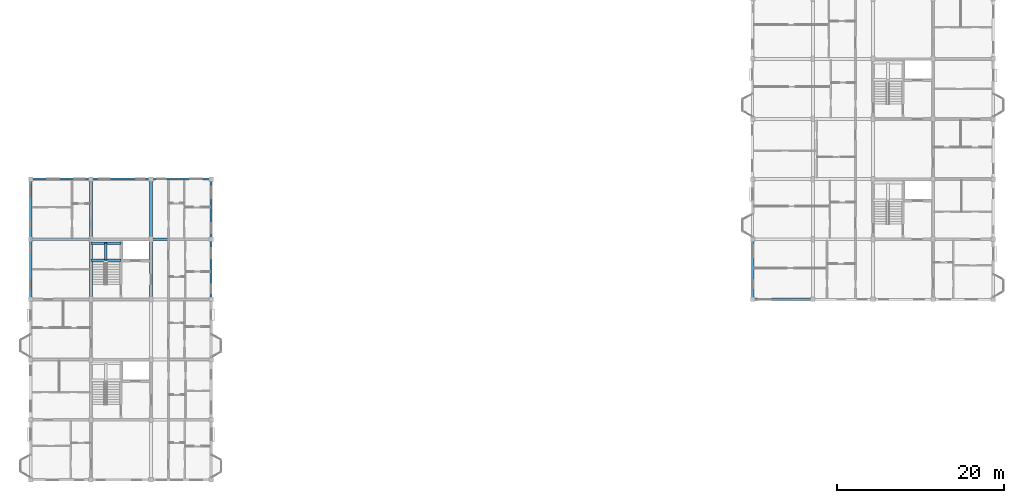
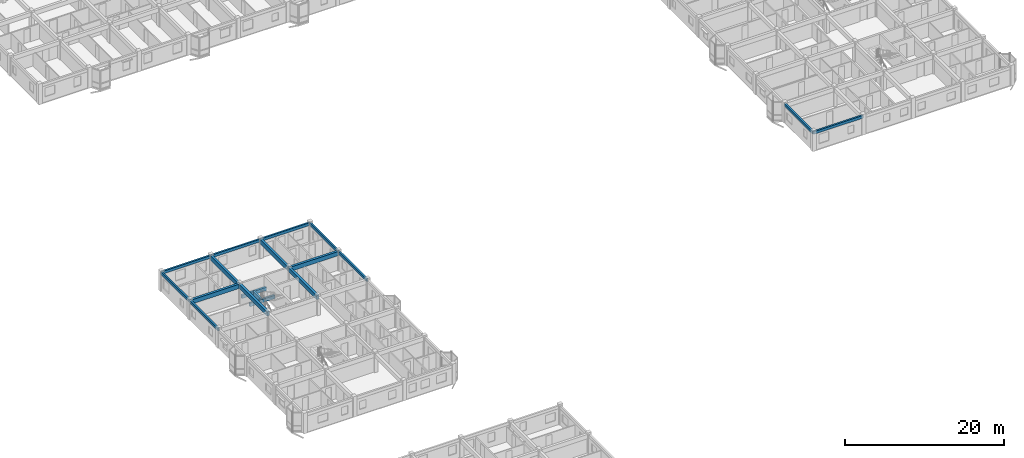
# One storey, part 20 of 77: 18 beams.
"""IFC4 building model written with IfcOpenShell, lengths in metres."""

from ifc_helpers import new_model, si_unit, direction, frame, origin, origin_2d, place, context, subcontext, project, spatial, rectangle, extrude, material, material_profile, profile_set, type_object, element, save


model = new_model("IFC4")

# Units and contexts
model_context = context("Model", 3, precision=1e-05, world=origin(), true_north=direction((0.0, 1.0)))
body_context = subcontext(model_context, "Body", "Model", "MODEL_VIEW")
ifc_project = project(units=[si_unit("LENGTHUNIT", "METRE"), si_unit("AREAUNIT", "SQUARE_METRE"), si_unit("VOLUMEUNIT", "CUBIC_METRE"), si_unit("PLANEANGLEUNIT", "RADIAN"), si_unit("MASSUNIT", "GRAM", prefix="KILO"), si_unit("THERMODYNAMICTEMPERATUREUNIT", "KELVIN"), si_unit("POWERUNIT", "WATT")], contexts=[model_context])

# Site, building, storey
site_placement = place(None, origin())
site = spatial("IfcSite", under=ifc_project, at=site_placement, CompositionType="ELEMENT")
building_placement = place(site_placement, origin())
building = spatial("IfcBuilding", under=site, at=building_placement, Name="Tavuni Mirador Residences", CompositionType="ELEMENT")
storey_placement = place(building_placement, frame((0.0, 0.0, 10.800048828125)))
storey = spatial("IfcBuildingStorey", under=building, at=storey_placement, Name="L03", CompositionType="ELEMENT", Elevation=10.800048828125)

# Beams
ifc_material = material(Name="Precast concrete C40/50", Category="concrete")
ifc_material_profile_1 = material_profile(ifc_material, rectangle(XDim=0.300048828125, YDim=0.5, at=origin_2d()), Name="PC 300x500", Category="concrete")
ifc_profile_set_1 = profile_set([ifc_material_profile_1], Name="Precast concrete C40/50")
beam_type_1 = type_object("IfcBeamType", Name="BT-B500", PredefinedType="BEAM", material=ifc_profile_set_1)
for number, where, z_axis, x_axis, name in (
    (1, (10.800048828125, 91.10009765625, 1.14501953125), (1.0, 0.0, 0.0), (0.0, 1.0, 0.0), "HLB1-C4-L03"),
    (2, (10.800048828125, 93.14990234375, 1.14501953125), (1.0, 0.0, 0.0), (0.0, 1.0, 0.0), "HLB2-C4-L03"),
):
    element("IfcBeam", number, at=place(storey_placement, frame(where, z_axis=z_axis, x_axis=x_axis)), inside=storey, type_object=beam_type_1, Name=name, PredefinedType="BEAM", context=body_context, shape_type="SweptSolid", body=[
        extrude(rectangle(XDim=0.300048828125, YDim=0.5, at=origin_2d()), origin(), (0.0, 0.0, 1.0), 3.599853515625),
    ])
beam_1_placement = place(storey_placement, frame((12.60009765625, 91.10009765625, 1.14501953125), z_axis=(0.0, 1.0, 0.0), x_axis=(-1.0, 0.0, 0.0)))
element("IfcBeam", 3, at=beam_1_placement, inside=storey, type_object=beam_type_1, Name="HLB3-C4-L03", PredefinedType="BEAM", context=body_context, shape_type="SweptSolid", body=[
    extrude(rectangle(XDim=0.300048828125, YDim=0.5, at=origin_2d()), origin(), (0.0, 0.0, 1.0), 2.0498046875),
])
ifc_material_profile_2 = material_profile(ifc_material, rectangle(XDim=0.35009765625, YDim=0.64990234375, at=origin_2d()), Name="PC 350x650", Category="concrete")
ifc_profile_set_2 = profile_set([ifc_material_profile_2], Name="Precast concrete C40/50")
beam_type_2 = type_object("IfcBeamType", Name="BT-B650", PredefinedType="BEAM", material=ifc_profile_set_2)
for number, where, z_axis, x_axis, name in (
    (4, (3.60009765625, 93.60009765625, 2.5849609375), (1.0, 0.0, 0.0), (0.0, 1.0, 0.0), "BMX-BLK-B-L03-00-04"),
    (5, (18.0, 93.60009765625, 2.5849609375), (1.0, 0.0, 0.0), (0.0, 1.0, 0.0), "BMX-BLK-B-L03-02-04"),
):
    element("IfcBeam", number, at=place(storey_placement, frame(where, z_axis=z_axis, x_axis=x_axis)), inside=storey, type_object=beam_type_2, Name=name, PredefinedType="BEAM", context=body_context, shape_type="SweptSolid", body=[
        extrude(rectangle(XDim=0.35009765625, YDim=0.64990234375, at=origin_2d()), origin(), (0.0, 0.0, 1.0), 7.199951171875),
    ])
beam_2_placement = place(storey_placement, frame((10.800048828125, 86.39990234375, 2.5849609375), z_axis=(0.0, 1.0, 0.0), x_axis=(-1.0, 0.0, 0.0)))
element("IfcBeam", 6, at=beam_2_placement, inside=storey, type_object=beam_type_2, Name="BMY-BLK-B-L03-01-03", PredefinedType="BEAM", context=body_context, shape_type="SweptSolid", body=[
    extrude(rectangle(XDim=0.35009765625, YDim=0.64990234375, at=origin_2d()), origin(), (0.0, 0.0, 1.0), 7.2001953125),
])
beam_3_placement = place(storey_placement, frame((10.800048828125, 93.60009765625, 2.5849609375), z_axis=(0.0, 1.0, 0.0), x_axis=(-1.0, 0.0, 0.0)))
element("IfcBeam", 7, at=beam_3_placement, inside=storey, type_object=beam_type_2, Name="BMY-BLK-B-L03-01-04", PredefinedType="BEAM", context=body_context, shape_type="SweptSolid", body=[
    extrude(rectangle(XDim=0.35009765625, YDim=0.64990234375, at=origin_2d()), origin(), (0.0, 0.0, 1.0), 7.199951171875),
])
beam_4_placement = place(storey_placement, frame((18.0, 86.39990234375, 2.5849609375), z_axis=(0.0, 1.0, 0.0), x_axis=(-1.0, 0.0, 0.0)))
element("IfcBeam", 8, at=beam_4_placement, inside=storey, type_object=beam_type_2, Name="BMY-BLK-B-L03-02-03", PredefinedType="BEAM", context=body_context, shape_type="SweptSolid", body=[
    extrude(rectangle(XDim=0.35009765625, YDim=0.64990234375, at=origin_2d()), origin(), (0.0, 0.0, 1.0), 7.2001953125),
])
beam_5_placement = place(storey_placement, frame((18.0, 93.60009765625, 2.5849609375), z_axis=(0.0, 1.0, 0.0), x_axis=(-1.0, 0.0, 0.0)))
element("IfcBeam", 9, at=beam_5_placement, inside=storey, type_object=beam_type_2, Name="BMY-BLK-B-L03-02-04", PredefinedType="BEAM", context=body_context, shape_type="SweptSolid", body=[
    extrude(rectangle(XDim=0.35009765625, YDim=0.64990234375, at=origin_2d()), origin(), (0.0, 0.0, 1.0), 7.199951171875),
])
ifc_material_profile_3 = material_profile(ifc_material, rectangle(XDim=0.25, YDim=0.419921875, at=origin_2d()), Name="PC 250x420", Category="concrete")
ifc_profile_set_3 = profile_set([ifc_material_profile_3], Name="Precast concrete C40/50")
beam_type_3 = type_object("IfcBeamType", Name="BT-SP420", PredefinedType="SPANDREL", material=ifc_profile_set_3)
for number, where, z_axis, x_axis, name in (
    (10, (3.60009765625, 100.800048828125, 2.699951171875), (1.0, 0.0, 0.0), (0.0, 1.0, 0.0), "BMX-BLK-B-L03-00-05"),
    (11, (10.800048828125, 100.800048828125, 2.699951171875), (1.0, 0.0, 0.0), (0.0, 1.0, 0.0), "BMX-BLK-B-L03-01-05"),
    (12, (18.0, 100.800048828125, 2.699951171875), (1.0, 0.0, 0.0), (0.0, 1.0, 0.0), "BMX-BLK-B-L03-02-05"),
):
    element("IfcBeam", number, at=place(storey_placement, frame(where, z_axis=z_axis, x_axis=x_axis)), inside=storey, type_object=beam_type_3, Name=name, PredefinedType="SPANDREL", context=body_context, shape_type="SweptSolid", body=[
        extrude(rectangle(XDim=0.25, YDim=0.419921875, at=origin_2d()), origin(), (0.0, 0.0, 1.0), 7.199951171875),
    ])
beam_6_placement = place(storey_placement, frame((3.60009765625, 86.39990234375, 2.699951171875), z_axis=(0.0, 1.0, 0.0), x_axis=(-1.0, 0.0, 0.0)))
element("IfcBeam", 13, at=beam_6_placement, inside=storey, type_object=beam_type_3, Name="BMY-BLK-B-L03-00-03", PredefinedType="SPANDREL", context=body_context, shape_type="SweptSolid", body=[
    extrude(rectangle(XDim=0.25, YDim=0.419921875, at=origin_2d()), origin(), (0.0, 0.0, 1.0), 7.2001953125),
])
beam_7_placement = place(storey_placement, frame((3.60009765625, 93.60009765625, 2.699951171875), z_axis=(0.0, 1.0, 0.0), x_axis=(-1.0, 0.0, 0.0)))
element("IfcBeam", 14, at=beam_7_placement, inside=storey, type_object=beam_type_3, Name="BMY-BLK-B-L03-00-04", PredefinedType="SPANDREL", context=body_context, shape_type="SweptSolid", body=[
    extrude(rectangle(XDim=0.25, YDim=0.419921875, at=origin_2d()), origin(), (0.0, 0.0, 1.0), 7.199951171875),
])
beam_8_placement = place(storey_placement, frame((25.199951171875, 86.39990234375, 2.699951171875), z_axis=(0.0, 1.0, 0.0), x_axis=(-1.0, 0.0, 0.0)))
element("IfcBeam", 15, at=beam_8_placement, inside=storey, type_object=beam_type_3, Name="BMY-BLK-B-L03-03-03", PredefinedType="SPANDREL", context=body_context, shape_type="SweptSolid", body=[
    extrude(rectangle(XDim=0.25, YDim=0.419921875, at=origin_2d()), origin(), (0.0, 0.0, 1.0), 7.2001953125),
])
for number, where, z_axis, x_axis, name in (
    (16, (25.199951171875, 93.60009765625, 2.699951171875), (0.0, 1.0, 0.0), (-1.0, 0.0, 0.0), "BMY-BLK-B-L03-03-04"),
    (17, (90.0, 86.39990234375, 2.679931640625), (1.0, 0.0, 0.0), (0.0, 1.0, 0.0), "BMX-BLK-D-L03-00-00"),
):
    element("IfcBeam", number, at=place(storey_placement, frame(where, z_axis=z_axis, x_axis=x_axis)), inside=storey, type_object=beam_type_3, Name=name, PredefinedType="SPANDREL", context=body_context, shape_type="SweptSolid", body=[
        extrude(rectangle(XDim=0.25, YDim=0.419921875, at=origin_2d()), origin(), (0.0, 0.0, 1.0), 7.199951171875),
    ])
beam_9_placement = place(storey_placement, frame((90.0, 86.39990234375, 2.679931640625), z_axis=(0.0, 1.0, 0.0), x_axis=(-1.0, 0.0, 0.0)))
element("IfcBeam", 18, at=beam_9_placement, inside=storey, type_object=beam_type_3, Name="BMY-BLK-D-L03-00-00", PredefinedType="SPANDREL", context=body_context, shape_type="SweptSolid", body=[
    extrude(rectangle(XDim=0.25, YDim=0.419921875, at=origin_2d()), origin(), (0.0, 0.0, 1.0), 7.2001953125),
])

save(model, "model.ifc")
